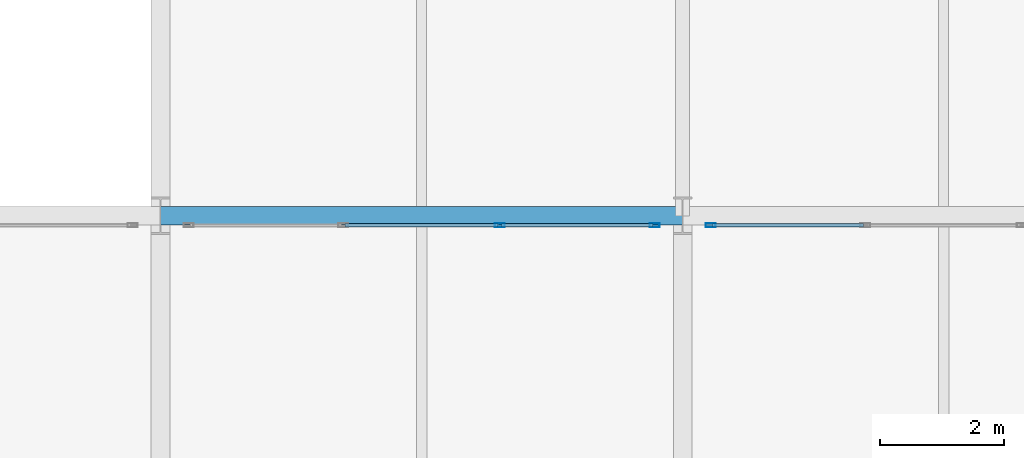
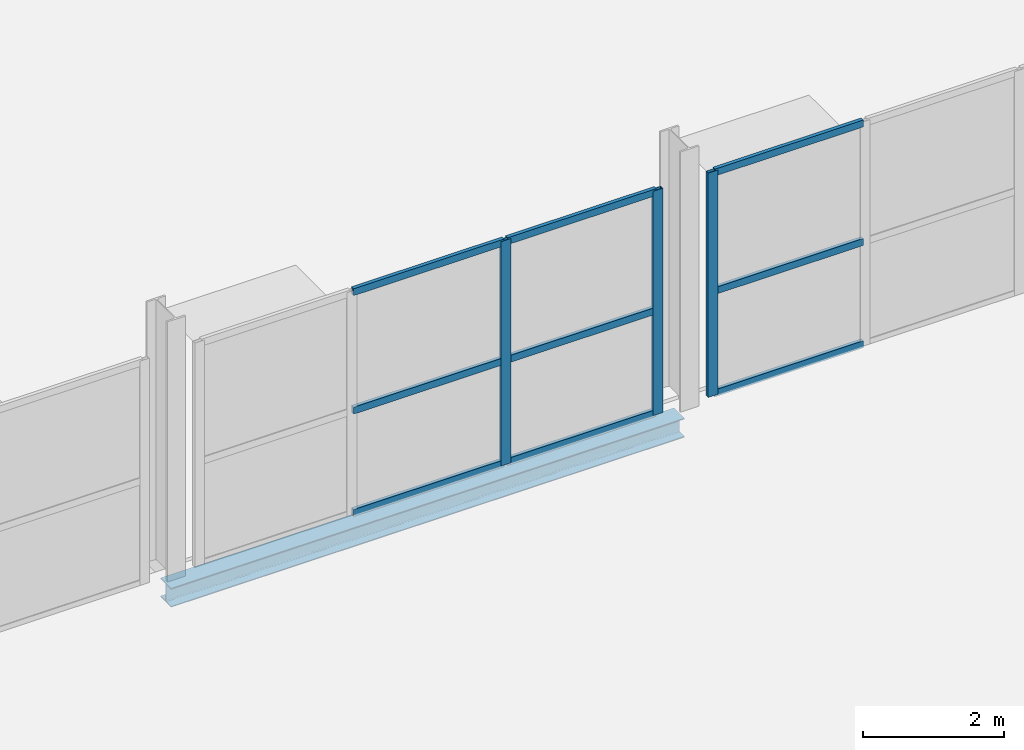
# One storey, part 68 of 130: 12 members, 1 beam, 2 elements without a shape of their own.
"""IFC4 building model written with IfcOpenShell, lengths in metres."""

from ifc_helpers import new_model, si_unit, direction, frame, origin, origin_2d, place, context, subcontext, project, spatial, hollow_rectangle, i_section, extrude, material, material_profile, profile_set, type_object, element, aggregate, save


model = new_model("IFC4")

# Units and contexts
model_context = context("Model", 3, precision=1e-05, world=origin(), true_north=direction((0.0, 1.0)))
body_context = subcontext(model_context, "Body", "Model", "MODEL_VIEW")
ifc_project = project(units=[si_unit("LENGTHUNIT", "METRE"), si_unit("AREAUNIT", "SQUARE_METRE"), si_unit("VOLUMEUNIT", "CUBIC_METRE"), si_unit("PLANEANGLEUNIT", "RADIAN"), si_unit("MASSUNIT", "GRAM", prefix="KILO")], contexts=[model_context])

# Site, building, storey
site_placement = place(None, origin())
site = spatial("IfcSite", under=ifc_project, at=site_placement, CompositionType="ELEMENT")
building_placement = place(site_placement, origin())
building = spatial("IfcBuilding", under=site, at=building_placement, Name="Veltarok Museum of Natural Sciences", CompositionType="ELEMENT")
storey_placement = place(building_placement, frame((0.0, 0.0, 12.89990234375)))
storey = spatial("IfcBuildingStorey", under=building, at=storey_placement, Name="L02", CompositionType="ELEMENT", Elevation=12.89990234375)

# Curtain wall, members
ifc_material_1 = material(Name="Low-iron triple insulated glass", Category="glass")
curtain_wall_type_1 = type_object("IfcCurtainWallType", Name="Curtain Wall System CW-V2N-L02-7-756x388 (V2 North Hall L02 7-8 756x388cm)", PredefinedType="NOTDEFINED", material=ifc_material_1)
curtain_wall_1_placement = place(storey_placement, origin())
curtain_wall_1 = element("IfcCurtainWall", 1, at=curtain_wall_1_placement, inside=storey, type_object=curtain_wall_type_1, Name="Curtain Wall CW-V2N-L02-7-756x388 CW-0050", PredefinedType="NOTDEFINED")
ifc_material_2 = material(Name="Thermally broken anodised aluminium", Category="aluminium")
ifc_material_profile_1 = material_profile(ifc_material_2, hollow_rectangle(XDim=0.06005859375, YDim=0.1201171875, WallThickness=0.0048828125, at=origin_2d()), Name="CW TRANSOM 60x120x5")
ifc_profile_set_1 = profile_set([ifc_material_profile_1], Name="Thermally broken anodised aluminium")
member_type_1 = type_object("IfcMemberType", Name="Curtain Wall Horizontal Transom 60x120x5", PredefinedType="USERDEFINED", material=ifc_profile_set_1)
member_1_placement = place(storey_placement, frame((64.719970703125, 71.85009765625, 0.030029296875), z_axis=(-1.0, 0.0, 0.0), x_axis=(0.0, -1.0, 0.0)))
member_1 = element("IfcMember", 2, at=member_1_placement, type_object=member_type_1, Name="CW-V2N-L02-7-756x388 transom 1.1", ObjectType="TRANSOM", PredefinedType="USERDEFINED", context=body_context, shape_type="SweptSolid", body=[
    extrude(hollow_rectangle(XDim=0.06005859375, YDim=0.1201171875, WallThickness=0.0048828125, at=origin_2d()), origin(), (0.0, 0.0, 1.0), 2.429931640625),
])
member_2_placement = place(storey_placement, frame((64.719970703125, 71.85009765625, 1.800048828125), z_axis=(-1.0, 0.0, 0.0), x_axis=(0.0, -1.0, 0.0)))
member_2 = element("IfcMember", 3, at=member_2_placement, type_object=member_type_1, Name="CW-V2N-L02-7-756x388 transom 1.2", ObjectType="TRANSOM", PredefinedType="USERDEFINED", context=body_context, shape_type="SweptSolid", body=[
    extrude(hollow_rectangle(XDim=0.06005859375, YDim=0.1201171875, WallThickness=0.0048828125, at=origin_2d()), origin(), (0.0, 0.0, 1.0), 2.429931640625),
])
member_3_placement = place(storey_placement, frame((64.719970703125, 71.85009765625, 3.85009765625), z_axis=(-1.0, 0.0, 0.0), x_axis=(0.0, -1.0, 0.0)))
member_3 = element("IfcMember", 4, at=member_3_placement, type_object=member_type_1, Name="CW-V2N-L02-7-756x388 transom 1.3", ObjectType="TRANSOM", PredefinedType="USERDEFINED", context=body_context, shape_type="SweptSolid", body=[
    extrude(hollow_rectangle(XDim=0.06005859375, YDim=0.1201171875, WallThickness=0.0048828125, at=origin_2d()), origin(), (0.0, 0.0, 1.0), 2.429931640625),
])
member_4_placement = place(storey_placement, frame((62.22998046875, 71.85009765625, 0.030029296875), z_axis=(-1.0, 0.0, 0.0), x_axis=(0.0, -1.0, 0.0)))
member_4 = element("IfcMember", 5, at=member_4_placement, type_object=member_type_1, Name="CW-V2N-L02-7-756x388 transom 2.1", ObjectType="TRANSOM", PredefinedType="USERDEFINED", context=body_context, shape_type="SweptSolid", body=[
    extrude(hollow_rectangle(XDim=0.06005859375, YDim=0.1201171875, WallThickness=0.0048828125, at=origin_2d()), origin(), (0.0, 0.0, 1.0), 2.4599609375),
])
member_5_placement = place(storey_placement, frame((62.22998046875, 71.85009765625, 1.800048828125), z_axis=(-1.0, 0.0, 0.0), x_axis=(0.0, -1.0, 0.0)))
member_5 = element("IfcMember", 6, at=member_5_placement, type_object=member_type_1, Name="CW-V2N-L02-7-756x388 transom 2.2", ObjectType="TRANSOM", PredefinedType="USERDEFINED", context=body_context, shape_type="SweptSolid", body=[
    extrude(hollow_rectangle(XDim=0.06005859375, YDim=0.1201171875, WallThickness=0.0048828125, at=origin_2d()), origin(), (0.0, 0.0, 1.0), 2.4599609375),
])
member_6_placement = place(storey_placement, frame((62.22998046875, 71.85009765625, 3.85009765625), z_axis=(-1.0, 0.0, 0.0), x_axis=(0.0, -1.0, 0.0)))
member_6 = element("IfcMember", 7, at=member_6_placement, type_object=member_type_1, Name="CW-V2N-L02-7-756x388 transom 2.3", ObjectType="TRANSOM", PredefinedType="USERDEFINED", context=body_context, shape_type="SweptSolid", body=[
    extrude(hollow_rectangle(XDim=0.06005859375, YDim=0.1201171875, WallThickness=0.0048828125, at=origin_2d()), origin(), (0.0, 0.0, 1.0), 2.4599609375),
])

curtain_wall_type_2 = type_object("IfcCurtainWallType", Name="Curtain Wall System CW-V2N-L02-8-756x388 (V2 North Hall L02 8-9 756x388cm)", PredefinedType="NOTDEFINED", material=ifc_material_1)
curtain_wall_2_placement = place(storey_placement, origin())
curtain_wall_2 = element("IfcCurtainWall", 8, at=curtain_wall_2_placement, inside=storey, type_object=curtain_wall_type_2, Name="Curtain Wall CW-V2N-L02-8-756x388 CW-0051", PredefinedType="NOTDEFINED")
member_7_placement = place(storey_placement, frame((68.110107421875, 71.85009765625, 0.030029296875), z_axis=(-1.0, 0.0, 0.0), x_axis=(0.0, -1.0, 0.0)))
member_7 = element("IfcMember", 9, at=member_7_placement, type_object=member_type_1, Name="CW-V2N-L02-8-756x388 transom 3.1", ObjectType="TRANSOM", PredefinedType="USERDEFINED", context=body_context, shape_type="SweptSolid", body=[
    extrude(hollow_rectangle(XDim=0.06005859375, YDim=0.1201171875, WallThickness=0.0048828125, at=origin_2d()), origin(), (0.0, 0.0, 1.0), 2.43017578125),
])
member_8_placement = place(storey_placement, frame((68.110107421875, 71.85009765625, 1.800048828125), z_axis=(-1.0, 0.0, 0.0), x_axis=(0.0, -1.0, 0.0)))
member_8 = element("IfcMember", 10, at=member_8_placement, type_object=member_type_1, Name="CW-V2N-L02-8-756x388 transom 3.2", ObjectType="TRANSOM", PredefinedType="USERDEFINED", context=body_context, shape_type="SweptSolid", body=[
    extrude(hollow_rectangle(XDim=0.06005859375, YDim=0.1201171875, WallThickness=0.0048828125, at=origin_2d()), origin(), (0.0, 0.0, 1.0), 2.43017578125),
])
member_9_placement = place(storey_placement, frame((68.110107421875, 71.85009765625, 3.85009765625), z_axis=(-1.0, 0.0, 0.0), x_axis=(0.0, -1.0, 0.0)))
member_9 = element("IfcMember", 11, at=member_9_placement, type_object=member_type_1, Name="CW-V2N-L02-8-756x388 transom 3.3", ObjectType="TRANSOM", PredefinedType="USERDEFINED", context=body_context, shape_type="SweptSolid", body=[
    extrude(hollow_rectangle(XDim=0.06005859375, YDim=0.1201171875, WallThickness=0.0048828125, at=origin_2d()), origin(), (0.0, 0.0, 1.0), 2.43017578125),
])

# Member
ifc_material_profile_2 = material_profile(ifc_material_2, hollow_rectangle(XDim=0.06005859375, YDim=0.159912109375, WallThickness=0.0048828125, at=origin_2d()), Name="CW MULLION 60x160x5")
ifc_profile_set_2 = profile_set([ifc_material_profile_2], Name="Thermally broken anodised aluminium")
member_type_2 = type_object("IfcMemberType", Name="Curtain Wall Vertical Mullion 60x160x5", PredefinedType="MULLION", material=ifc_profile_set_2)
member_10_placement = place(storey_placement, frame((64.75, 71.85009765625, 0.0), z_axis=(0.0, 0.0, 1.0), x_axis=(0.0, -1.0, 0.0)))
member_10 = element("IfcMember", 12, at=member_10_placement, type_object=member_type_2, Name="CW-V2N-L02-7-756x388 mullion 1", PredefinedType="MULLION", context=body_context, shape_type="SweptSolid", body=[
    extrude(hollow_rectangle(XDim=0.06005859375, YDim=0.159912109375, WallThickness=0.0048828125, at=origin_2d()), origin(), (0.0, 0.0, 1.0), 3.880126953125),
])

member_11_placement = place(storey_placement, frame((62.260009765625, 71.85009765625, 0.0), z_axis=(0.0, 0.0, 1.0), x_axis=(0.0, -1.0, 0.0)))
member_11 = element("IfcMember", 13, at=member_11_placement, type_object=member_type_2, Name="CW-V2N-L02-7-756x388 mullion 2", PredefinedType="MULLION", context=body_context, shape_type="SweptSolid", body=[
    extrude(hollow_rectangle(XDim=0.06005859375, YDim=0.159912109375, WallThickness=0.0048828125, at=origin_2d()), origin(), (0.0, 0.0, 1.0), 3.880126953125),
])

aggregate(curtain_wall_1, [member_10, member_11, member_1, member_2, member_3, member_4, member_5, member_6])

member_12_placement = place(storey_placement, frame((65.64990234375, 71.85009765625, 0.0), z_axis=(0.0, 0.0, 1.0), x_axis=(0.0, -1.0, 0.0)))
member_12 = element("IfcMember", 14, at=member_12_placement, type_object=member_type_2, Name="CW-V2N-L02-8-756x388 mullion 4", PredefinedType="MULLION", context=body_context, shape_type="SweptSolid", body=[
    extrude(hollow_rectangle(XDim=0.06005859375, YDim=0.159912109375, WallThickness=0.0048828125, at=origin_2d()), origin(), (0.0, 0.0, 1.0), 3.880126953125),
])

aggregate(curtain_wall_2, [member_12, member_7, member_8, member_9])

# Beam
ifc_material_3 = material(Name="Steel S355J2", Category="steel")
ifc_material_profile_3 = material_profile(ifc_material_3, i_section(OverallWidth=0.300048828125, OverallDepth=0.330078125, WebThickness=0.009521484375, FlangeThickness=0.0166015625, FilletRadius=0.027099609375, at=origin_2d()), Name="HEA 340")
ifc_profile_set_3 = profile_set([ifc_material_profile_3], Name="Steel S355J2")
beam_type = type_object("IfcBeamType", Name="Perimeter Upper Spandrel HEA 340", PredefinedType="SPANDREL", material=ifc_profile_set_3)
beam_placement = place(storey_placement, frame((56.800048828125, 72.0, -0.414794921875), z_axis=(1.0, 0.0, 0.0), x_axis=(0.0, 1.0, 0.0)))
element("IfcBeam", 15, at=beam_placement, inside=storey, type_object=beam_type, Name="Beam BM-SP05 L02 7-8/H", PredefinedType="SPANDREL", context=body_context, shape_type="SweptSolid", body=[
    extrude(i_section(OverallWidth=0.300048828125, OverallDepth=0.330078125, WebThickness=0.009521484375, FlangeThickness=0.0166015625, FilletRadius=0.027099609375, at=origin_2d()), origin(), (0.0, 0.0, 1.0), 8.39990234375),
])

save(model, "model.ifc")
